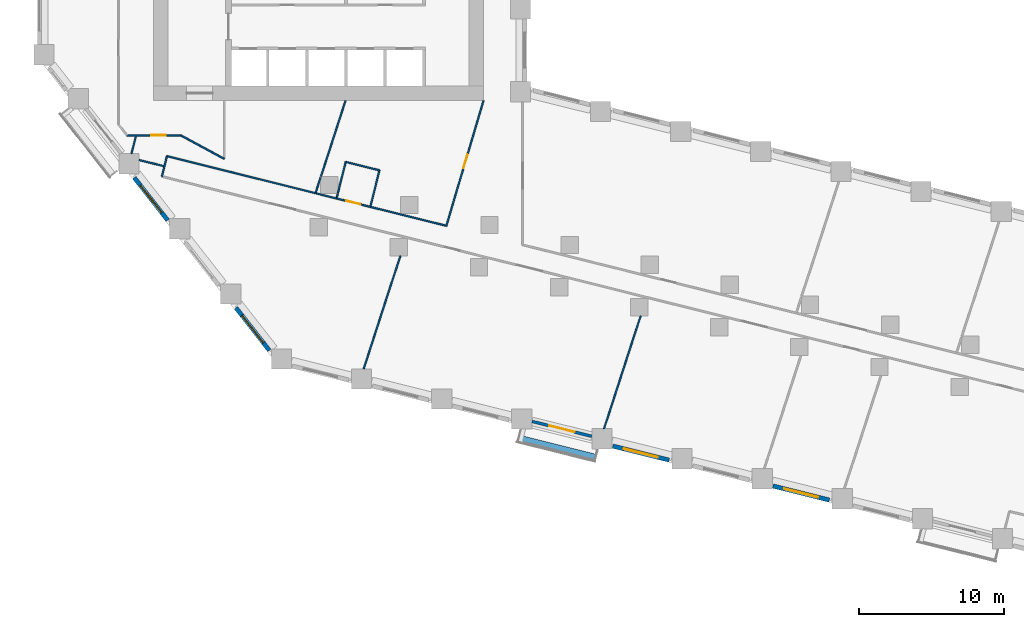
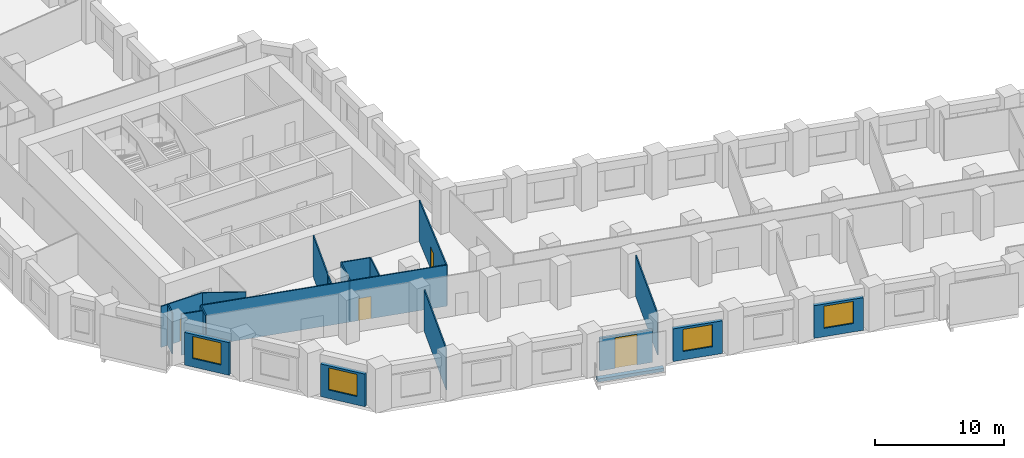
# One storey, part 3 of 12: 21 walls, 4 doors, 4 windows, 8 openings.
"""IFC4 building model written with IfcOpenShell, lengths in metres."""

from ifc_helpers import new_model, si_unit, direction, frame, frame_2d, origin, place, context, subcontext, project, spatial, rectangle, extrude, material, layer, layer_set, type_object, element, fill, save


model = new_model("IFC4")

# Units and contexts
model_context = context("Model", 3, precision=1e-05, world=origin(), true_north=direction((0.0, 1.0)))
body_context = subcontext(model_context, "Body", "Model", "MODEL_VIEW")
ifc_project = project(units=[si_unit("LENGTHUNIT", "METRE"), si_unit("AREAUNIT", "SQUARE_METRE"), si_unit("VOLUMEUNIT", "CUBIC_METRE"), si_unit("PLANEANGLEUNIT", "RADIAN"), si_unit("MASSUNIT", "GRAM", prefix="KILO")], contexts=[model_context])

# Site, building, storey
site_placement = place(None, origin())
site = spatial("IfcSite", under=ifc_project, at=site_placement, CompositionType="ELEMENT")
building_placement = place(site_placement, origin())
building = spatial("IfcBuilding", under=site, at=building_placement, Name="Meshkara Civic Tower", CompositionType="ELEMENT")
storey_placement = place(building_placement, frame((0.0, 0.0, 62.39990234375)))
storey = spatial("IfcBuildingStorey", under=building, at=storey_placement, Name="L13", CompositionType="ELEMENT", Elevation=62.39990234375)

# Wall, opening, door
ifc_material_1 = material(Name="Corridor wall 100")
ifc_layer_1 = layer(ifc_material_1, 0.10009765625)
ifc_layer_set_1 = layer_set([ifc_layer_1], Name="Corridor wall 100")
wall_type_1 = type_object("IfcWallType", Name="Corridor wall 100", PredefinedType="PARTITIONING", material=ifc_layer_set_1)
wall_1_placement = place(storey_placement, frame((6.18505859375, 11.699951171875, 0.0), z_axis=(0.0, 0.0, 1.0), x_axis=(1.0, 0.0, 0.0)))
wall_1 = element("IfcWall", 1, at=wall_1_placement, inside=storey, type_object=wall_type_1, Name="L13-W006", PredefinedType="PARTITIONING", context=body_context, shape_type="SweptSolid", body=[
    extrude(rectangle(XDim=3.71484375, YDim=0.10009765625, at=frame_2d((1.857421875, 0.0))), origin(), (0.0, 0.0, 1.0), 3.900146484375),
])
opening_1_placement = place(wall_1_placement, frame((1.69189453125, 0.0, 0.0)))
opening_1 = element("IfcOpeningElement", 2, at=opening_1_placement, cuts=wall_1, Name="Opening L13-D012", PredefinedType="OPENING", context=body_context, shape_type="SweptSolid", body=[
    extrude(rectangle(XDim=1.0, YDim=2.10009765625, at=frame_2d((0.5, 1.050048828125))), frame((0.0, 0.06005859375, 0.0), z_axis=(0.0, -1.0, 0.0), x_axis=(1.0, 0.0, 0.0)), (0.0, 0.0, 1.0), 0.1201171875),
])
ifc_material_2 = material(Name="Door 1000 x 2100")
door_type_1 = type_object("IfcDoorType", Name="Door 1000 x 2100", OperationType="SINGLE_SWING_LEFT", PredefinedType="DOOR", material=ifc_material_2)
door_1_placement = place(opening_1_placement, origin())
door_1 = element("IfcDoor", 3, at=door_1_placement, inside=storey, type_object=door_type_1, Name="L13-D012", OperationType="SINGLE_SWING_LEFT", OverallHeight=2.10009765625, OverallWidth=1.0, PredefinedType="DOOR", context=body_context, shape_type="SweptSolid", body=[
    extrude(rectangle(XDim=1.0, YDim=2.10009765625, at=frame_2d((0.5, 1.050048828125))), frame((0.0, 0.02490234375, 0.0), z_axis=(0.0, -1.0, 0.0), x_axis=(1.0, 0.0, 0.0)), (0.0, 0.0, 1.0), 0.050048828125),
])
fill(opening_1, door_1)

wall_2_placement = place(storey_placement, frame((8.944091796875, 10.263916015625, 0.0), z_axis=(0.0, 0.0, 1.0), x_axis=(0.970300504447, -0.241902730595, 0.0)))
wall_2 = element("IfcWall", 4, at=wall_2_placement, inside=storey, type_object=wall_type_1, Name="L13-W009", PredefinedType="PARTITIONING", context=body_context, shape_type="SweptSolid", body=[
    extrude(rectangle(XDim=19.879150390625, YDim=0.10009765625, at=frame_2d((9.939453125, 0.0))), origin(), (0.0, 0.0, 1.0), 3.900146484375),
])
opening_2_placement = place(wall_2_placement, frame((12.7490234375, 0.0, 0.0)))
opening_2 = element("IfcOpeningElement", 5, at=opening_2_placement, cuts=wall_2, Name="Opening L13-D014", PredefinedType="OPENING", context=body_context, shape_type="SweptSolid", body=[
    extrude(rectangle(XDim=1.0, YDim=2.10009765625, at=frame_2d((0.5, 1.050048828125))), frame((0.0, 0.06005859375, 0.0), z_axis=(0.0, -1.0, 0.0), x_axis=(1.0, 0.0, 0.0)), (0.0, 0.0, 1.0), 0.1201171875),
])
door_2_placement = place(opening_2_placement, origin())
door_2 = element("IfcDoor", 6, at=door_2_placement, inside=storey, type_object=door_type_1, Name="L13-D014", OperationType="SINGLE_SWING_LEFT", OverallHeight=2.10009765625, OverallWidth=1.0, PredefinedType="DOOR", context=body_context, shape_type="SweptSolid", body=[
    extrude(rectangle(XDim=1.0, YDim=2.10009765625, at=frame_2d((0.5, 1.050048828125))), frame((0.0, 0.02490234375, 0.0), z_axis=(0.0, -1.0, 0.0), x_axis=(1.0, 0.0, 0.0)), (0.0, 0.0, 1.0), 0.050048828125),
])
fill(opening_2, door_2)

# Walls
wall_3_placement = place(storey_placement, frame((8.944091796875, 10.263916015625, 0.0), z_axis=(0.0, 0.0, 1.0), x_axis=(-0.242297077633, -0.970202105837, 0.0)))
element("IfcWall", 7, at=wall_3_placement, inside=storey, type_object=wall_type_1, Name="L13-W010", PredefinedType="PARTITIONING", context=body_context, shape_type="SweptSolid", body=[
    extrude(rectangle(XDim=1.44482421875, YDim=0.10009765625, at=frame_2d((0.722412109375, 0.0))), origin(), (0.0, 0.0, 1.0), 3.900146484375),
])
wall_4_placement = place(storey_placement, frame((9.89990234375, 11.699951171875, 0.0), z_axis=(0.0, 0.0, 1.0), x_axis=(0.87965147249, -0.475618846291, 0.0)))
element("IfcWall", 8, at=wall_4_placement, inside=storey, type_object=wall_type_1, Name="L13-W011", PredefinedType="PARTITIONING", context=body_context, shape_type="SweptSolid", body=[
    extrude(rectangle(XDim=3.410400390625, YDim=0.10009765625, at=frame_2d((1.705078125, 0.0))), origin(), (0.0, 0.0, 1.0), 3.900146484375),
])

# Wall, opening, door
wall_5_placement = place(storey_placement, frame((30.800048828125, 14.10009765625, 0.0), z_axis=(0.0, 0.0, 1.0), x_axis=(-0.284664373847, -0.95862724469, 0.0)))
wall_5 = element("IfcWall", 9, at=wall_5_placement, inside=storey, type_object=wall_type_1, Name="L13-W021", PredefinedType="PARTITIONING", context=body_context, shape_type="SweptSolid", body=[
    extrude(rectangle(XDim=9.01806640625, YDim=0.10009765625, at=frame_2d((4.509033203125, 0.0))), origin(), (0.0, 0.0, 1.0), 3.900146484375),
])
opening_3_placement = place(wall_5_placement, frame((3.8798828125, 0.0, 0.0)))
opening_3 = element("IfcOpeningElement", 10, at=opening_3_placement, cuts=wall_5, Name="Opening L13-D015", PredefinedType="OPENING", context=body_context, shape_type="SweptSolid", body=[
    extrude(rectangle(XDim=1.0, YDim=2.10009765625, at=frame_2d((0.5, 1.050048828125))), frame((0.0, 0.06005859375, 0.0), z_axis=(0.0, -1.0, 0.0), x_axis=(1.0, 0.0, 0.0)), (0.0, 0.0, 1.0), 0.1201171875),
])
door_3_placement = place(opening_3_placement, origin())
door_3 = element("IfcDoor", 11, at=door_3_placement, inside=storey, type_object=door_type_1, Name="L13-D015", OperationType="SINGLE_SWING_RIGHT", OverallHeight=2.10009765625, OverallWidth=1.0, PredefinedType="DOOR", context=body_context, shape_type="SweptSolid", body=[
    extrude(rectangle(XDim=1.0, YDim=2.10009765625, at=frame_2d((0.5, 1.050048828125))), frame((0.0, 0.02490234375, 0.0), z_axis=(0.0, -1.0, 0.0), x_axis=(1.0, 0.0, 0.0)), (0.0, 0.0, 1.0), 0.050048828125),
])
fill(opening_3, door_3)

# Wall, opening, window
ifc_material_3 = material(Name="Insulated infill panel with bronze anodised aluminium cladding", Category="aluminium")
ifc_layer_2 = layer(ifc_material_3, 0.300048828125)
ifc_layer_set_2 = layer_set([ifc_layer_2], Name="EXTERNAL INFILL WALL 300")
wall_type_2 = type_object("IfcWallType", Name="EXTERNAL INFILL WALL 300", PredefinedType="SOLIDWALL", material=ifc_layer_set_2)
wall_6_placement = place(storey_placement, frame((6.69189453125, 8.778076171875, 0.0), z_axis=(0.0, 0.0, 1.0), x_axis=(0.615767067156, -0.787928244833, 0.0)))
wall_6 = element("IfcWall", 12, at=wall_6_placement, inside=storey, type_object=wall_type_2, Name="External wall", PredefinedType="SOLIDWALL", context=body_context, shape_type="SweptSolid", body=[
    extrude(rectangle(XDim=3.7353515625, YDim=0.300048828125, at=frame_2d((1.86767578125, 0.0))), origin(), (0.0, 0.0, 1.0), 3.10009765625),
])
opening_4_placement = place(wall_6_placement, frame((0.66796875, 0.0, 0.800048828125)))
opening_4 = element("IfcOpeningElement", 13, at=opening_4_placement, cuts=wall_6, Name="Opening W7", PredefinedType="OPENING", context=body_context, shape_type="SweptSolid", body=[
    extrude(rectangle(XDim=2.39990234375, YDim=2.10009765625, at=frame_2d((1.199951171875, 1.050048828125))), frame((0.0, 0.159912109375, 0.0), z_axis=(0.0, -1.0, 0.0), x_axis=(1.0, 0.0, 0.0)), (0.0, 0.0, 1.0), 0.320068359375),
])
ifc_material_4 = material(Name="Tinted double glazing", Category="glass")
window_type = type_object("IfcWindowType", Name="WINDOW 2400x2100", PartitioningType="DOUBLE_PANEL_VERTICAL", PredefinedType="WINDOW", material=ifc_material_4)
window_1_placement = place(opening_4_placement, origin())
window_1 = element("IfcWindow", 14, at=window_1_placement, inside=storey, type_object=window_type, Name="Window", OverallHeight=2.10009765625, OverallWidth=2.39990234375, PartitioningType="DOUBLE_PANEL_VERTICAL", PredefinedType="WINDOW", context=body_context, shape_type="SweptSolid", body=[
    extrude(rectangle(XDim=2.39990234375, YDim=2.10009765625, at=frame_2d((1.199951171875, 1.050048828125))), frame((0.0, 0.030029296875, 0.0), z_axis=(0.0, -1.0, 0.0), x_axis=(1.0, 0.0, 0.0)), (0.0, 0.0, 1.0), 0.06005859375),
])
fill(opening_4, window_1)

wall_7_placement = place(storey_placement, frame((13.7099609375, -0.205078125, 0.0), z_axis=(0.0, 0.0, 1.0), x_axis=(0.615798780214, -0.787903460004, 0.0)))
wall_7 = element("IfcWall", 15, at=wall_7_placement, inside=storey, type_object=wall_type_2, Name="External wall", PredefinedType="SOLIDWALL", context=body_context, shape_type="SweptSolid", body=[
    extrude(rectangle(XDim=3.735107421875, YDim=0.300048828125, at=frame_2d((1.86767578125, 0.0))), origin(), (0.0, 0.0, 1.0), 3.10009765625),
])
opening_5_placement = place(wall_7_placement, frame((0.6669921875, 0.0, 0.800048828125)))
opening_5 = element("IfcOpeningElement", 16, at=opening_5_placement, cuts=wall_7, Name="Opening W7", PredefinedType="OPENING", context=body_context, shape_type="SweptSolid", body=[
    extrude(rectangle(XDim=2.39990234375, YDim=2.10009765625, at=frame_2d((1.199951171875, 1.050048828125))), frame((0.0, 0.159912109375, 0.0), z_axis=(0.0, -1.0, 0.0), x_axis=(1.0, 0.0, 0.0)), (0.0, 0.0, 1.0), 0.320068359375),
])
window_2_placement = place(opening_5_placement, origin())
window_2 = element("IfcWindow", 17, at=window_2_placement, inside=storey, type_object=window_type, Name="Window", OverallHeight=2.10009765625, OverallWidth=2.39990234375, PartitioningType="DOUBLE_PANEL_VERTICAL", PredefinedType="WINDOW", context=body_context, shape_type="SweptSolid", body=[
    extrude(rectangle(XDim=2.39990234375, YDim=2.10009765625, at=frame_2d((1.199951171875, 1.050048828125))), frame((0.0, 0.030029296875, 0.0), z_axis=(0.0, -1.0, 0.0), x_axis=(1.0, 0.0, 0.0)), (0.0, 0.0, 1.0), 0.06005859375),
])
fill(opening_5, window_2)

wall_8_placement = place(storey_placement, frame((39.72509765625, -9.75, 0.0), z_axis=(0.0, 0.0, 1.0), x_axis=(0.970314477803, -0.241846674911, 0.0)))
wall_8 = element("IfcWall", 18, at=wall_8_placement, inside=storey, type_object=wall_type_2, Name="External wall", PredefinedType="SOLIDWALL", context=body_context, shape_type="SweptSolid", body=[
    extrude(rectangle(XDim=4.002685546875, YDim=0.300048828125, at=frame_2d((2.00146484375, 0.0))), origin(), (0.0, 0.0, 1.0), 3.10009765625),
])
opening_6_placement = place(wall_8_placement, frame((0.801025390625, 0.0, 0.800048828125)))
opening_6 = element("IfcOpeningElement", 19, at=opening_6_placement, cuts=wall_8, Name="Opening W7", PredefinedType="OPENING", context=body_context, shape_type="SweptSolid", body=[
    extrude(rectangle(XDim=2.39990234375, YDim=2.10009765625, at=frame_2d((1.199951171875, 1.050048828125))), frame((0.0, 0.159912109375, 0.0), z_axis=(0.0, -1.0, 0.0), x_axis=(1.0, 0.0, 0.0)), (0.0, 0.0, 1.0), 0.320068359375),
])
window_3_placement = place(opening_6_placement, origin())
window_3 = element("IfcWindow", 20, at=window_3_placement, inside=storey, type_object=window_type, Name="Window", OverallHeight=2.10009765625, OverallWidth=2.39990234375, PartitioningType="DOUBLE_PANEL_VERTICAL", PredefinedType="WINDOW", context=body_context, shape_type="SweptSolid", body=[
    extrude(rectangle(XDim=2.39990234375, YDim=2.10009765625, at=frame_2d((1.199951171875, 1.050048828125))), frame((0.0, 0.030029296875, 0.0), z_axis=(0.0, -1.0, 0.0), x_axis=(1.0, 0.0, 0.0)), (0.0, 0.0, 1.0), 0.06005859375),
])
fill(opening_6, window_3)

wall_9_placement = place(storey_placement, frame((50.785888671875, -12.508056640625, 0.0), z_axis=(0.0, 0.0, 1.0), x_axis=(0.970318045095, -0.24183236211, 0.0)))
wall_9 = element("IfcWall", 21, at=wall_9_placement, inside=storey, type_object=wall_type_2, Name="External wall", PredefinedType="SOLIDWALL", context=body_context, shape_type="SweptSolid", body=[
    extrude(rectangle(XDim=4.0029296875, YDim=0.300048828125, at=frame_2d((2.00146484375, 0.0))), origin(), (0.0, 0.0, 1.0), 3.10009765625),
])
opening_7_placement = place(wall_9_placement, frame((0.802001953125, 0.0, 0.800048828125)))
opening_7 = element("IfcOpeningElement", 22, at=opening_7_placement, cuts=wall_9, Name="Opening W7", PredefinedType="OPENING", context=body_context, shape_type="SweptSolid", body=[
    extrude(rectangle(XDim=2.39990234375, YDim=2.10009765625, at=frame_2d((1.199951171875, 1.050048828125))), frame((0.0, 0.159912109375, 0.0), z_axis=(0.0, -1.0, 0.0), x_axis=(1.0, 0.0, 0.0)), (0.0, 0.0, 1.0), 0.320068359375),
])
window_4_placement = place(opening_7_placement, origin())
window_4 = element("IfcWindow", 23, at=window_4_placement, inside=storey, type_object=window_type, Name="Window", OverallHeight=2.10009765625, OverallWidth=2.39990234375, PartitioningType="DOUBLE_PANEL_VERTICAL", PredefinedType="WINDOW", context=body_context, shape_type="SweptSolid", body=[
    extrude(rectangle(XDim=2.39990234375, YDim=2.10009765625, at=frame_2d((1.199951171875, 1.050048828125))), frame((0.0, 0.030029296875, 0.0), z_axis=(0.0, -1.0, 0.0), x_axis=(1.0, 0.0, 0.0)), (0.0, 0.0, 1.0), 0.06005859375),
])
fill(opening_7, window_4)

# Wall, opening, door
ifc_material_5 = material(Name="Insulated infill panel with bronze anodised aluminium cladding", Category="aluminium")
ifc_layer_3 = layer(ifc_material_5, 0.199951171875)
ifc_layer_set_3 = layer_set([ifc_layer_3], Name="LOGGIA BACK WALL 200")
wall_type_3 = type_object("IfcWallType", Name="LOGGIA BACK WALL 200", PredefinedType="SOLIDWALL", material=ifc_layer_set_3)
wall_10_placement = place(storey_placement, frame((34.14306640625, -8.049072265625, 0.0), z_axis=(0.0, 0.0, 1.0), x_axis=(0.970290742877, -0.241941882045, 0.0)))
wall_10 = element("IfcWall", 24, at=wall_10_placement, inside=storey, type_object=wall_type_3, Name="Loggia wall", PredefinedType="SOLIDWALL", context=body_context, shape_type="SweptSolid", body=[
    extrude(rectangle(XDim=4.25732421875, YDim=0.199951171875, at=frame_2d((2.128662109375, 0.0))), origin(), (0.0, 0.0, 1.0), 3.10009765625),
])
opening_8_placement = place(wall_10_placement, frame((1.22802734375, 0.0, 0.0)))
opening_8 = element("IfcOpeningElement", 25, at=opening_8_placement, cuts=wall_10, Name="Opening L13-L004", PredefinedType="OPENING", context=body_context, shape_type="SweptSolid", body=[
    extrude(rectangle(XDim=1.800048828125, YDim=2.89990234375, at=frame_2d((0.89990234375, 1.449951171875))), frame((0.0, 0.10986328125, 0.0), z_axis=(0.0, -1.0, 0.0), x_axis=(1.0, 0.0, 0.0)), (0.0, 0.0, 1.0), 0.219970703125),
])
ifc_material_6 = material(Name="Tinted double glazing", Category="glass")
door_type_2 = type_object("IfcDoorType", Name="LOGGIA DOOR 1800x2900", OperationType="DOUBLE_DOOR_SINGLE_SWING", PredefinedType="DOOR", material=ifc_material_6)
door_4_placement = place(opening_8_placement, origin())
door_4 = element("IfcDoor", 26, at=door_4_placement, inside=storey, type_object=door_type_2, Name="L13-L004", OperationType="DOUBLE_DOOR_SINGLE_SWING", OverallHeight=2.89990234375, OverallWidth=1.800048828125, PredefinedType="DOOR", context=body_context, shape_type="SweptSolid", body=[
    extrude(rectangle(XDim=1.800048828125, YDim=2.89990234375, at=frame_2d((0.89990234375, 1.449951171875))), frame((0.0, 0.02490234375, 0.0), z_axis=(0.0, -1.0, 0.0), x_axis=(1.0, 0.0, 0.0)), (0.0, 0.0, 1.0), 0.050048828125),
])
fill(opening_8, door_4)

# Walls
ifc_material_7 = material(Name="Concrete C40", Category="concrete")
ifc_layer_4 = layer(ifc_material_7, 0.39990234375)
ifc_layer_set_4 = layer_set([ifc_layer_4], Name="PLANTER TRAY")
wall_type_4 = type_object("IfcWallType", Name="PLANTER TRAY", PredefinedType="SOLIDWALL", material=ifc_layer_set_4)
wall_11_placement = place(storey_placement, frame((33.285888671875, -9.2060546875, 0.0), z_axis=(0.0, 0.0, 1.0), x_axis=(0.970292345375, -0.241935455249, 0.0)))
element("IfcWall", 27, at=wall_11_placement, inside=storey, type_object=wall_type_4, Name="Planter", PredefinedType="SOLIDWALL", context=body_context, shape_type="SweptSolid", body=[
    extrude(rectangle(XDim=5.3603515625, YDim=0.39990234375, at=frame_2d((2.68017578125, 0.0))), origin(), (0.0, 0.0, 1.0), 0.300048828125),
])
ifc_material_8 = material(Name="Partition 100")
ifc_layer_5 = layer(ifc_material_8, 0.10009765625)
ifc_layer_set_5 = layer_set([ifc_layer_5], Name="Partition 100")
wall_type_5 = type_object("IfcWallType", Name="Partition 100", PredefinedType="PARTITIONING", material=ifc_layer_set_5)
wall_12_placement = place(storey_placement, frame((6.797119140625, 11.637939453125, 0.0), z_axis=(0.0, 0.0, 1.0), x_axis=(-0.242396400943, -0.970177295555, 0.0)))
element("IfcWall", 28, at=wall_12_placement, inside=storey, type_object=wall_type_5, Name="L13-W035", PredefinedType="PARTITIONING", context=body_context, shape_type="SweptSolid", body=[
    extrude(rectangle(XDim=1.23779296875, YDim=0.10009765625, at=frame_2d((0.618896484375, 0.0))), origin(), (0.0, 0.0, 1.0), 3.900146484375),
])
wall_13_placement = place(storey_placement, frame((8.719970703125, 9.573974609375, 0.0), z_axis=(0.0, 0.0, 1.0), x_axis=(-0.97016712555, 0.242437102155, 0.0)))
element("IfcWall", 29, at=wall_13_placement, inside=storey, type_object=wall_type_5, Name="L13-W036", PredefinedType="PARTITIONING", context=body_context, shape_type="SweptSolid", body=[
    extrude(rectangle(XDim=1.749267578125, YDim=0.10009765625, at=frame_2d((0.87451171875, 0.0))), origin(), (0.0, 0.0, 1.0), 3.900146484375),
])
wall_14_placement = place(storey_placement, frame((19.216064453125, 7.758056640625, 0.0), z_axis=(0.0, 0.0, 1.0), x_axis=(0.308748247722, 0.9511437954, 0.0)))
element("IfcWall", 30, at=wall_14_placement, inside=storey, type_object=wall_type_5, Name="L13-W039", PredefinedType="PARTITIONING", context=body_context, shape_type="SweptSolid", body=[
    extrude(rectangle(XDim=1.07861328125, YDim=0.10009765625, at=frame_2d((0.539306640625, 0.0))), origin(), (0.0, 0.0, 1.0), 3.900146484375),
])
wall_15_placement = place(storey_placement, frame((19.576904296875, 8.87109375, 0.0), z_axis=(0.0, 0.0, 1.0), x_axis=(0.309011770838, 0.951058213509, 0.0)))
element("IfcWall", 31, at=wall_15_placement, inside=storey, type_object=wall_type_5, Name="L13-W040", PredefinedType="PARTITIONING", context=body_context, shape_type="SweptSolid", body=[
    extrude(rectangle(XDim=5.498046875, YDim=0.10009765625, at=frame_2d((2.7490234375, 0.0))), origin(), (0.0, 0.0, 1.0), 3.900146484375),
])
wall_16_placement = place(storey_placement, frame((20.6669921875, 7.39306640625, 0.0), z_axis=(0.0, 0.0, 1.0), x_axis=(0.241331539526, 0.970442727846, 0.0)))
element("IfcWall", 32, at=wall_16_placement, inside=storey, type_object=wall_type_5, Name="L13-W042", PredefinedType="PARTITIONING", context=body_context, shape_type="SweptSolid", body=[
    extrude(rectangle(XDim=0.286376953125, YDim=0.10009765625, at=frame_2d((0.14306640625, 0.0))), origin(), (0.0, 0.0, 1.0), 3.900146484375),
])
wall_17_placement = place(storey_placement, frame((20.7490234375, 7.721923828125, 0.0), z_axis=(0.0, 0.0, 1.0), x_axis=(0.241963917433, 0.97028524809, 0.0)))
element("IfcWall", 33, at=wall_17_placement, inside=storey, type_object=wall_type_5, Name="L13-W043", PredefinedType="PARTITIONING", context=body_context, shape_type="SweptSolid", body=[
    extrude(rectangle(XDim=2.210693359375, YDim=0.10009765625, at=frame_2d((1.10546875, 0.0))), origin(), (0.0, 0.0, 1.0), 3.900146484375),
])
wall_18_placement = place(storey_placement, frame((21.283935546875, 9.866943359375, 0.0), z_axis=(0.0, 0.0, 1.0), x_axis=(0.970262034576, -0.242056985565, 0.0)))
element("IfcWall", 34, at=wall_18_placement, inside=storey, type_object=wall_type_5, Name="L13-W044", PredefinedType="PARTITIONING", context=body_context, shape_type="SweptSolid", body=[
    extrude(rectangle(XDim=2.400390625, YDim=0.10009765625, at=frame_2d((1.2001953125, 0.0))), origin(), (0.0, 0.0, 1.0), 3.900146484375),
])
wall_19_placement = place(storey_placement, frame((22.52392578125, -4.4169921875, 0.0), z_axis=(0.0, 0.0, 1.0), x_axis=(0.309171572002, 0.951006277091, 0.0)))
element("IfcWall", 35, at=wall_19_placement, inside=storey, type_object=wall_type_5, Name="L13-W047", PredefinedType="PARTITIONING", context=body_context, shape_type="SweptSolid", body=[
    extrude(rectangle(XDim=8.199951171875, YDim=0.10009765625, at=frame_2d((4.10009765625, 0.0))), origin(), (0.0, 0.0, 1.0), 3.900146484375),
])
wall_20_placement = place(storey_placement, frame((23.613037109375, 9.285888671875, 0.0), z_axis=(0.0, 0.0, 1.0), x_axis=(-0.241972320765, -0.970283152478, 0.0)))
element("IfcWall", 36, at=wall_20_placement, inside=storey, type_object=wall_type_5, Name="L13-W048", PredefinedType="PARTITIONING", context=body_context, shape_type="SweptSolid", body=[
    extrude(rectangle(XDim=2.549560546875, YDim=0.10009765625, at=frame_2d((1.27490234375, 0.0))), origin(), (0.0, 0.0, 1.0), 3.900146484375),
])
wall_21_placement = place(storey_placement, frame((39.115966796875, -8.553955078125, 0.0), z_axis=(0.0, 0.0, 1.0), x_axis=(0.309153397643, 0.951012185372, 0.0)))
element("IfcWall", 37, at=wall_21_placement, inside=storey, type_object=wall_type_5, Name="L13-W049", PredefinedType="PARTITIONING", context=body_context, shape_type="SweptSolid", body=[
    extrude(rectangle(XDim=8.199462890625, YDim=0.10009765625, at=frame_2d((4.099609375, 0.0))), origin(), (0.0, 0.0, 1.0), 3.900146484375),
])

save(model, "model.ifc")
